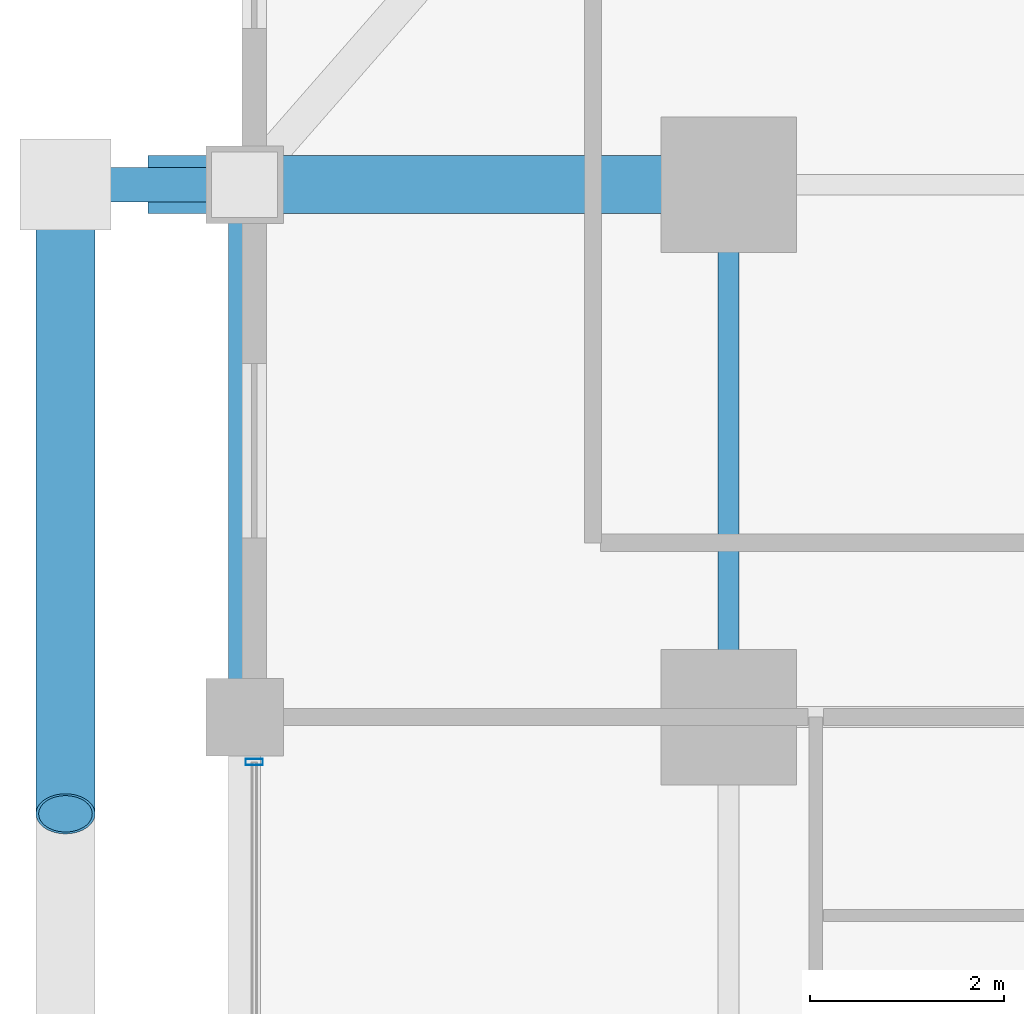
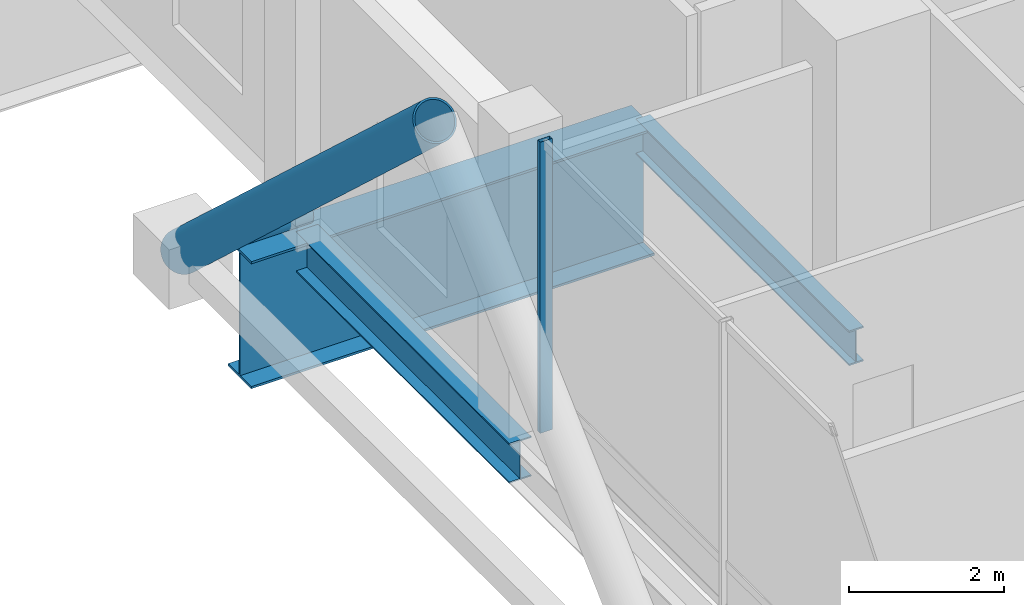
# One storey, part 14 of 33: 3 beams, 3 members, 1 element without a shape of its own.
"""IFC4 building model written with IfcOpenShell, lengths in metres."""

from ifc_helpers import new_model, si_unit, direction, frame, origin, origin_2d, place, context, subcontext, project, spatial, hollow_rectangle, hollow_circle, i_section, extrude, material, layer, layer_set, material_profile, profile_set, type_object, element, aggregate, save


model = new_model("IFC4")

# Units and contexts
model_context = context("Model", 3, precision=1e-05, world=origin(), true_north=direction((0.0, 1.0)))
body_context = subcontext(model_context, "Body", "Model", "MODEL_VIEW")
ifc_project = project(units=[si_unit("LENGTHUNIT", "METRE"), si_unit("AREAUNIT", "SQUARE_METRE"), si_unit("VOLUMEUNIT", "CUBIC_METRE"), si_unit("PLANEANGLEUNIT", "RADIAN"), si_unit("MASSUNIT", "GRAM", prefix="KILO")], contexts=[model_context])

# Site, building, storey
site_placement = place(None, origin())
site = spatial("IfcSite", under=ifc_project, at=site_placement, CompositionType="ELEMENT")
building_placement = place(site_placement, origin())
building = spatial("IfcBuilding", under=site, at=building_placement, Name="Barlavira Tower and Art Museum", CompositionType="ELEMENT")
storey_placement = place(building_placement, frame((0.0, 0.0, 27.60009765625)))
storey = spatial("IfcBuildingStorey", under=building, at=storey_placement, Name="L05", CompositionType="ELEMENT", Elevation=27.60009765625)

# Curtain wall, member
ifc_material_1 = material(Name="Low-iron coastal laminated glass", Category="glass")
ifc_layer = layer(ifc_material_1, 0.179931640625, Name="Low-iron coastal laminated glass")
ifc_layer_set = layer_set([ifc_layer], Name="Low-iron coastal laminated glass")
curtain_wall_type = type_object("IfcCurtainWallType", Name="Pale-Metal Unitised Curtain Wall Zone 1", PredefinedType="NOTDEFINED", material=ifc_layer_set)
curtain_wall_placement = place(storey_placement, origin())
curtain_wall = element("IfcCurtainWall", 1, at=curtain_wall_placement, inside=storey, type_object=curtain_wall_type, Name="L05 Curtain Wall CW1-L05-W-B3", PredefinedType="NOTDEFINED")
ifc_material_2 = material(Name="Pale anodised aluminium", Category="aluminium")
ifc_material_profile_1 = material_profile(ifc_material_2, hollow_rectangle(XDim=0.06494140625, YDim=0.179931640625, WallThickness=0.00390625, at=origin_2d()), Name="ALU-MULL 65x180x4")
ifc_profile_set_1 = profile_set([ifc_material_profile_1], Name="Pale anodised aluminium")
member_type_1 = type_object("IfcMemberType", Name="Curtain Wall Pale-Metal Mullion 65x180", PredefinedType="MULLION", material=ifc_profile_set_1)
member_1_placement = place(storey_placement, frame((-21.89990234375, 7.034912109375, 0.0), z_axis=(0.0, 0.0, 1.0), x_axis=(0.0, -1.0, 0.0)))
member_1 = element("IfcMember", 2, at=member_1_placement, type_object=member_type_1, Name="CW1-L05-W-B3 Mullion 0", PredefinedType="MULLION", context=body_context, shape_type="SweptSolid", body=[
    extrude(hollow_rectangle(XDim=0.06494140625, YDim=0.179931640625, WallThickness=0.00390625, at=origin_2d()), origin(), (0.0, 0.0, 1.0), 4.579833984375),
])
aggregate(curtain_wall, [member_1])

# Members
ifc_material_3 = material(Name="Steel S355", Category="steel")
ifc_material_profile_2 = material_profile(ifc_material_3, hollow_circle(Radius=0.304931640625, WallThickness=0.028076171875, at=origin_2d()), Name="CHS 610.0x28.0")
ifc_profile_set_2 = profile_set([ifc_material_profile_2], Name="Steel S355")
member_type_2 = type_object("IfcMemberType", Name="Pale-Metal Exoskeleton Diagrid Tube CHS 610x28 Steel S355", PredefinedType="BRACE", material=ifc_profile_set_2)
member_2_placement = place(storey_placement, frame((-23.85009765625, 13.0, -0.1201171875), z_axis=(0.0, -0.734803444627, 0.678280102733), x_axis=(1.0, 0.0, 0.0)))
element("IfcMember", 3, at=member_2_placement, inside=storey, type_object=member_type_2, Name="L05 Exoskeleton Diagrid Tube W", PredefinedType="BRACE", context=body_context, shape_type="SweptSolid", body=[
    extrude(hollow_circle(Radius=0.304931640625, WallThickness=0.028076171875, at=origin_2d()), origin(), (0.0, 0.0, 1.0), 8.845947265625),
])
ifc_material_profile_3 = material_profile(ifc_material_3, hollow_circle(Radius=0.177734375, WallThickness=0.01611328125, at=origin_2d()), Name="CHS 355.6x16.0")
ifc_profile_set_3 = profile_set([ifc_material_profile_3], Name="Steel S355")
member_type_3 = type_object("IfcMemberType", Name="Pale-Metal Exoskeleton Tie Strut CHS 356x16 Steel S355", PredefinedType="STRUT", material=ifc_profile_set_3)
member_3_placement = place(storey_placement, frame((-23.85009765625, 13.0, -0.1201171875), z_axis=(1.0, 0.0, 0.0), x_axis=(0.0, 1.0, 0.0)))
element("IfcMember", 4, at=member_3_placement, inside=storey, type_object=member_type_3, Name="L05 Exoskeleton Tie Strut W3", PredefinedType="STRUT", context=body_context, shape_type="SweptSolid", body=[
    extrude(hollow_circle(Radius=0.177734375, WallThickness=0.01611328125, at=origin_2d()), origin(), (0.0, 0.0, 1.0), 1.85009765625),
])

# Beams
ifc_material_profile_4 = material_profile(ifc_material_3, i_section(OverallWidth=0.327880859375, OverallDepth=0.62890625, WebThickness=0.013916015625, FlangeThickness=0.021484375, at=origin_2d()), Name="W610x174.0")
ifc_profile_set_4 = profile_set([ifc_material_profile_4], Name="Steel S355")
beam_type_1 = type_object("IfcBeamType", Name="Perimeter Spandrel Edge Beam W610x174 Steel S355", PredefinedType="SPANDREL", material=ifc_profile_set_4)
beam_1_placement = place(storey_placement, frame((-22.0, 7.5, -0.714599609375), z_axis=(0.0, 1.0, 0.0), x_axis=(-1.0, 0.0, 0.0)))
element("IfcBeam", 5, at=beam_1_placement, inside=storey, type_object=beam_type_1, Name="L05 Spandrel 13", PredefinedType="SPANDREL", context=body_context, shape_type="SweptSolid", body=[
    extrude(i_section(OverallWidth=0.327880859375, OverallDepth=0.62890625, WebThickness=0.013916015625, FlangeThickness=0.021484375, at=origin_2d()), origin(), (0.0, 0.0, 1.0), 5.5),
])
ifc_material_profile_5 = material_profile(ifc_material_3, i_section(OverallWidth=0.60009765625, OverallDepth=2.0, WebThickness=0.028076171875, FlangeThickness=0.034912109375, at=origin_2d()), Name="CVS2000x580")
ifc_profile_set_5 = profile_set([ifc_material_profile_5], Name="Steel S355")
beam_type_2 = type_object("IfcBeamType", Name="Podium Top Transfer Girder CVS2000x580 Steel S355", PredefinedType="USERDEFINED", material=ifc_profile_set_5)
beam_2_placement = place(storey_placement, frame((-23.0, 13.0, -1.400146484375), z_axis=(1.0, 0.0, 0.0), x_axis=(0.0, 1.0, 0.0)))
element("IfcBeam", 6, at=beam_2_placement, inside=storey, type_object=beam_type_2, Name="L05 Transfer Girder TG05-07", ObjectType="TRANSFER GIRDER", PredefinedType="USERDEFINED", context=body_context, shape_type="SweptSolid", body=[
    extrude(i_section(OverallWidth=0.60009765625, OverallDepth=2.0, WebThickness=0.028076171875, FlangeThickness=0.034912109375, at=origin_2d()), origin(), (0.0, 0.0, 1.0), 6.0),
])
ifc_material_profile_6 = material_profile(ifc_material_3, i_section(OverallWidth=0.214111328125, OverallDepth=0.549072265625, WebThickness=0.0146484375, FlangeThickness=0.023681640625, at=origin_2d()), Name="W530x138.0")
ifc_profile_set_6 = profile_set([ifc_material_profile_6], Name="Steel S355")
beam_type_3 = type_object("IfcBeamType", Name="Zone 1 Primary Floor Girder W530x138 Steel S355", PredefinedType="BEAM", material=ifc_profile_set_6)
beam_3_placement = place(storey_placement, frame((-17.0, 7.5, -0.674560546875), z_axis=(0.0, 1.0, 0.0), x_axis=(-1.0, 0.0, 0.0)))
element("IfcBeam", 7, at=beam_3_placement, inside=storey, type_object=beam_type_3, Name="L05 Girder M-W3", PredefinedType="BEAM", context=body_context, shape_type="SweptSolid", body=[
    extrude(i_section(OverallWidth=0.214111328125, OverallDepth=0.549072265625, WebThickness=0.0146484375, FlangeThickness=0.023681640625, at=origin_2d()), origin(), (0.0, 0.0, 1.0), 5.5),
])

save(model, "model.ifc")
